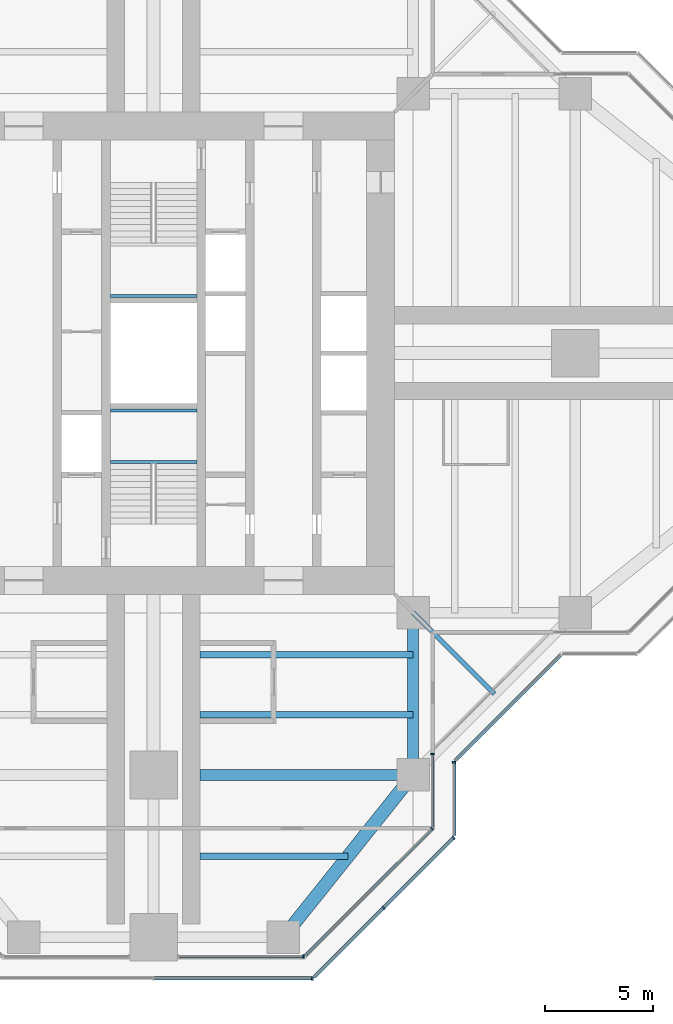
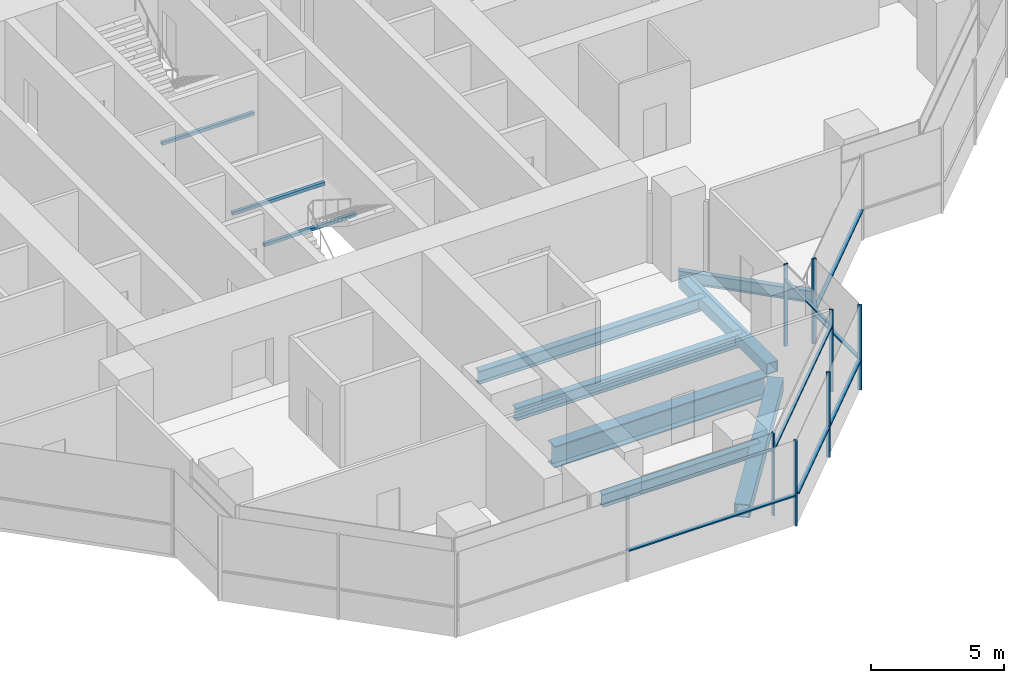
# One storey, part 4 of 17: 15 members, 10 beams, 7 elements without a shape of their own.
"""IFC4 building model written with IfcOpenShell, lengths in metres."""

from ifc_helpers import new_model, si_unit, direction, frame, origin, origin_2d, place, context, subcontext, project, spatial, rectangle, hollow_rectangle, i_section, extrude, material, material_profile, profile_set, type_object, element, aggregate, save


model = new_model("IFC4")

# Units and contexts
model_context = context("Model", 3, precision=1e-05, world=origin(), true_north=direction((0.0, 1.0)))
body_context = subcontext(model_context, "Body", "Model", "MODEL_VIEW")
ifc_project = project(units=[si_unit("LENGTHUNIT", "METRE"), si_unit("AREAUNIT", "SQUARE_METRE"), si_unit("VOLUMEUNIT", "CUBIC_METRE"), si_unit("PLANEANGLEUNIT", "RADIAN"), si_unit("MASSUNIT", "GRAM", prefix="KILO")], contexts=[model_context])

# Site, building, storey
site_placement = place(None, origin())
site = spatial("IfcSite", under=ifc_project, at=site_placement, CompositionType="ELEMENT")
building_placement = place(site_placement, origin())
building = spatial("IfcBuilding", under=site, at=building_placement, Name="Mizan Broadcast Tower", CompositionType="ELEMENT")
storey_placement = place(building_placement, frame((0.0, 0.0, 216.60009765625)))
storey = spatial("IfcBuildingStorey", under=building, at=storey_placement, Name="L50", CompositionType="ELEMENT", Elevation=216.60009765625)

# Beams
ifc_material_1 = material(Name="Steel S355", Category="steel")
ifc_material_profile_1 = material_profile(ifc_material_1, hollow_rectangle(XDim=0.5, YDim=0.5, WallThickness=0.030029296875, at=origin_2d()), Name="BOX 500x500x30")
ifc_profile_set_1 = profile_set([ifc_material_profile_1], Name="Steel S355")
beam_type_1 = type_object("IfcBeamType", Name="EDGE BEAM BOX 500x500x30", PredefinedType="SPANDREL", material=ifc_profile_set_1)
beam_1_placement = place(storey_placement, frame((12.0, -12.449951171875, -0.380126953125), z_axis=(0.0, -1.0, 0.0), x_axis=(1.0, 0.0, 0.0)))
element("IfcBeam", 1, at=beam_1_placement, inside=storey, type_object=beam_type_1, Name="Edge beam BOX 500x500x30 L50 south arm", PredefinedType="SPANDREL", context=body_context, shape_type="SweptSolid", body=[
    extrude(hollow_rectangle(XDim=0.5, YDim=0.5, WallThickness=0.030029296875, at=origin_2d()), origin(), (0.0, 0.0, 1.0), 6.60009765625),
])
ifc_material_2 = material(Name="Steel S355", Category="steel")
ifc_material_profile_2 = material_profile(ifc_material_2, hollow_rectangle(XDim=0.60009765625, YDim=0.60009765625, WallThickness=0.030029296875, at=origin_2d()), Name="BOX 600x600x30")
ifc_profile_set_2 = profile_set([ifc_material_profile_2], Name="Steel S355")
beam_type_2 = type_object("IfcBeamType", Name="EDGE BEAM BOX 600x600x30", PredefinedType="SPANDREL", material=ifc_profile_set_2)
beam_2_placement = place(storey_placement, frame((11.639892578125, -19.949951171875, -0.43017578125), z_axis=(-0.624673911726, -0.780885717636, 0.0), x_axis=(0.780885717636, -0.624673911726, 0.0)))
element("IfcBeam", 2, at=beam_2_placement, inside=storey, type_object=beam_type_2, Name="Edge beam BOX 600x600x30 L50 south arm", PredefinedType="SPANDREL", context=body_context, shape_type="SweptSolid", body=[
    extrude(hollow_rectangle(XDim=0.60009765625, YDim=0.60009765625, WallThickness=0.030029296875, at=origin_2d()), origin(), (0.0, 0.0, 1.0), 8.4521484375),
])
ifc_material_3 = material(Name="Steel S460", Category="steel")
ifc_material_profile_3 = material_profile(ifc_material_3, i_section(OverallWidth=0.5, OverallDepth=1.0, WebThickness=0.02490234375, FlangeThickness=0.050048828125, at=origin_2d()), Name="WPG 1000x500")
ifc_profile_set_3 = profile_set([ifc_material_profile_3], Name="Steel S460")
beam_type_3 = type_object("IfcBeamType", Name="GIRDER WPG 1000x500", PredefinedType="BEAM", material=ifc_profile_set_3)
beam_3_placement = place(storey_placement, frame((11.408935546875, -19.5, -0.630126953125), z_axis=(-1.0, 0.0, 0.0), x_axis=(0.0, -1.0, 0.0)))
element("IfcBeam", 3, at=beam_3_placement, inside=storey, type_object=beam_type_3, Name="Girder WPG 1000x500 L50 south arm", PredefinedType="BEAM", context=body_context, shape_type="SweptSolid", body=[
    extrude(i_section(OverallWidth=0.5, OverallDepth=1.0, WebThickness=0.02490234375, FlangeThickness=0.050048828125, at=origin_2d()), origin(), (0.0, 0.0, 1.0), 9.259033203125),
])

# Curtain wall, member
ifc_material_4 = material(Name="Aluminium framed glazing", Category="aluminium")
curtain_wall_type_1 = type_object("IfcCurtainWallType", Name="INNER SKIN HIGH ZONE", PredefinedType="USERDEFINED", material=ifc_material_4)
curtain_wall_1_placement = place(storey_placement, origin())
curtain_wall_1 = element("IfcCurtainWall", 4, at=curtain_wall_1_placement, inside=storey, type_object=curtain_wall_type_1, Name="Inner skin high zone L50 S end", ObjectType="INNER SKIN HIGH ZONE", PredefinedType="USERDEFINED")
ifc_material_5 = material(Name="Aluminium, pale anodised", Category="aluminium")
ifc_material_profile_4 = material_profile(ifc_material_5, rectangle(XDim=0.159912109375, YDim=0.06005859375, at=origin_2d()), Name="MULLION 160x60")
ifc_profile_set_4 = profile_set([ifc_material_profile_4], Name="Aluminium, pale anodised")
member_type_1 = type_object("IfcMemberType", Name="INNER SKIN MULLION 60x160", PredefinedType="MULLION", material=ifc_profile_set_4)
member_1_placement = place(storey_placement, frame((6.928466796875, -27.89990234375, 0.0), z_axis=(0.0, 0.0, 1.0), x_axis=(0.0, 1.0, 0.0)))
member_1 = element("IfcMember", 5, at=member_1_placement, type_object=member_type_1, Name="Inner skin high zone L50 S end mullion 2", PredefinedType="MULLION", context=body_context, shape_type="SweptSolid", body=[
    extrude(rectangle(XDim=0.159912109375, YDim=0.06005859375, at=origin_2d()), origin(), (0.0, 0.0, 1.0), 3.77001953125),
])

curtain_wall_2_placement = place(storey_placement, origin())
curtain_wall_2 = element("IfcCurtainWall", 6, at=curtain_wall_2_placement, inside=storey, type_object=curtain_wall_type_1, Name="Inner skin high zone L50 S chamfer", ObjectType="INNER SKIN HIGH ZONE", PredefinedType="USERDEFINED")
member_2_placement = place(storey_placement, frame((12.87890625, -21.979736328125, 0.0), z_axis=(0.0, 0.0, 1.0), x_axis=(-0.707106781187, 0.707106781187, 0.0)))
member_2 = element("IfcMember", 7, at=member_2_placement, type_object=member_type_1, Name="Inner skin high zone L50 S chamfer mullion 2", PredefinedType="MULLION", context=body_context, shape_type="SweptSolid", body=[
    extrude(rectangle(XDim=0.159912109375, YDim=0.06005859375, at=origin_2d()), origin(), (0.0, 0.0, 1.0), 3.77001953125),
])

curtain_wall_3_placement = place(storey_placement, origin())
curtain_wall_3 = element("IfcCurtainWall", 8, at=curtain_wall_3_placement, inside=storey, type_object=curtain_wall_type_1, Name="Inner skin high zone L50 S side", ObjectType="INNER SKIN HIGH ZONE", PredefinedType="USERDEFINED")
member_3_placement = place(storey_placement, frame((12.89990234375, -18.530029296875, 0.0), z_axis=(0.0, 0.0, 1.0), x_axis=(-1.0, 0.0, 0.0)))
member_3 = element("IfcMember", 9, at=member_3_placement, type_object=member_type_1, Name="Inner skin high zone L50 S side mullion 2", PredefinedType="MULLION", context=body_context, shape_type="SweptSolid", body=[
    extrude(rectangle(XDim=0.159912109375, YDim=0.06005859375, at=origin_2d()), origin(), (0.0, 0.0, 1.0), 3.77001953125),
])

# Member
ifc_material_6 = material(Name="Aluminium, pale anodised", Category="aluminium")
ifc_material_profile_5 = material_profile(ifc_material_6, rectangle(XDim=0.1201171875, YDim=0.06005859375, at=origin_2d()), Name="TRANSOM 120x60")
ifc_profile_set_5 = profile_set([ifc_material_profile_5], Name="Aluminium, pale anodised")
member_type_2 = type_object("IfcMemberType", Name="INNER SKIN TRANSOM 60x120", PredefinedType="USERDEFINED", material=ifc_profile_set_5)
member_4_placement = place(storey_placement, frame((1.159912109375, -27.89990234375, 3.02978515625), z_axis=(1.0, 0.0, 0.0), x_axis=(0.0, 1.0, 0.0)))
member_4 = element("IfcMember", 10, at=member_4_placement, type_object=member_type_2, Name="Inner skin high zone L50 S end transom 1.1", ObjectType="TRANSOM", PredefinedType="USERDEFINED", context=body_context, shape_type="SweptSolid", body=[
    extrude(rectangle(XDim=0.1201171875, YDim=0.06005859375, at=origin_2d()), origin(), (0.0, 0.0, 1.0), 5.73876953125),
])

aggregate(curtain_wall_1, [member_1, member_4])

member_5_placement = place(storey_placement, frame((7.0009765625, -27.857666015625, 3.02978515625), z_axis=(0.707106781187, 0.707106781187, 0.0), x_axis=(-0.707106781187, 0.707106781187, 0.0)))
member_5 = element("IfcMember", 11, at=member_5_placement, type_object=member_type_2, Name="Inner skin high zone L50 S chamfer transom 1.1", ObjectType="TRANSOM", PredefinedType="USERDEFINED", context=body_context, shape_type="SweptSolid", body=[
    extrude(rectangle(XDim=0.1201171875, YDim=0.06005859375, at=origin_2d()), origin(), (0.0, 0.0, 1.0), 8.28271484375),
])

aggregate(curtain_wall_2, [member_2, member_5])

member_6_placement = place(storey_placement, frame((12.89990234375, -21.898681640625, 3.02978515625), z_axis=(0.0, 1.0, 0.0), x_axis=(-1.0, 0.0, 0.0)))
member_6 = element("IfcMember", 12, at=member_6_placement, type_object=member_type_2, Name="Inner skin high zone L50 S side transom 1.1", ObjectType="TRANSOM", PredefinedType="USERDEFINED", context=body_context, shape_type="SweptSolid", body=[
    extrude(rectangle(XDim=0.1201171875, YDim=0.06005859375, at=origin_2d()), origin(), (0.0, 0.0, 1.0), 3.338623046875),
])

aggregate(curtain_wall_3, [member_3, member_6])

# Beams
ifc_material_7 = material(Name="Steel S355", Category="steel")
ifc_material_profile_6 = material_profile(ifc_material_7, hollow_rectangle(XDim=0.14990234375, YDim=0.14990234375, WallThickness=0.008056640625, InnerFilletRadius=0.008056640625, OuterFilletRadius=0.011962890625, at=origin_2d()), Name="SHS 150x150x8")
ifc_profile_set_6 = profile_set([ifc_material_profile_6], Name="Steel S355")
beam_type_4 = type_object("IfcBeamType", Name="LANDING TRIMMER SHS 150x150x8", PredefinedType="BEAM", material=ifc_profile_set_6)
for number, where, z_axis, x_axis, name in (
    (13, (-2.0, -5.02490234375, 1.6748046875), (1.0, 0.0, 0.0), (0.0, 1.0, 0.0), "Stair A landing trimmer L50"),
    (14, (-2.0, -2.64990234375, 1.6748046875), (1.0, 0.0, 0.0), (0.0, 1.0, 0.0), "Stair A landing trimmer L50"),
    (15, (2.0, 2.64990234375, 1.6748046875), (-1.0, 0.0, 0.0), (0.0, -1.0, 0.0), "Stair B landing trimmer L50"),
):
    element("IfcBeam", number, at=place(storey_placement, frame(where, z_axis=z_axis, x_axis=x_axis)), inside=storey, type_object=beam_type_4, Name=name, PredefinedType="BEAM", context=body_context, shape_type="SweptSolid", body=[
        extrude(hollow_rectangle(XDim=0.14990234375, YDim=0.14990234375, WallThickness=0.008056640625, InnerFilletRadius=0.008056640625, OuterFilletRadius=0.011962890625, at=origin_2d()), origin(), (0.0, 0.0, 1.0), 4.0),
    ])

# Curtain wall, member
ifc_material_8 = material(Name="Aluminium framed glazing", Category="aluminium")
curtain_wall_type_2 = type_object("IfcCurtainWallType", Name="OUTER SKIN", PredefinedType="USERDEFINED", material=ifc_material_8)
curtain_wall_4_placement = place(storey_placement, origin())
curtain_wall_4 = element("IfcCurtainWall", 16, at=curtain_wall_4_placement, inside=storey, type_object=curtain_wall_type_2, Name="Outer skin L50 S end", ObjectType="OUTER SKIN", PredefinedType="USERDEFINED")
ifc_material_9 = material(Name="Aluminium, pale anodised", Category="aluminium")
ifc_material_profile_7 = material_profile(ifc_material_9, rectangle(XDim=0.159912109375, YDim=0.080078125, at=origin_2d()), Name="MULLION 160x80")
ifc_profile_set_7 = profile_set([ifc_material_profile_7], Name="Aluminium, pale anodised")
member_type_3 = type_object("IfcMemberType", Name="OUTER SKIN MULLION 80x160", PredefinedType="MULLION", material=ifc_profile_set_7)
member_7_placement = place(storey_placement, frame((7.332763671875, -28.89990234375, 0.0), z_axis=(0.0, 0.0, 1.0), x_axis=(0.0, 1.0, 0.0)))
member_7 = element("IfcMember", 17, at=member_7_placement, type_object=member_type_3, Name="Outer skin L50 S end mullion 3", PredefinedType="MULLION", context=body_context, shape_type="SweptSolid", body=[
    extrude(rectangle(XDim=0.159912109375, YDim=0.080078125, at=origin_2d()), origin(), (0.0, 0.0, 1.0), 3.89990234375),
])

# Curtain wall, members
curtain_wall_5_placement = place(storey_placement, origin())
curtain_wall_5 = element("IfcCurtainWall", 18, at=curtain_wall_5_placement, inside=storey, type_object=curtain_wall_type_2, Name="Outer skin L50 S chamfer", ObjectType="OUTER SKIN", PredefinedType="USERDEFINED")
member_8_placement = place(storey_placement, frame((10.636474609375, -25.636474609375, 0.0), z_axis=(0.0, 0.0, 1.0), x_axis=(-0.707106781187, 0.707106781187, 0.0)))
member_8 = element("IfcMember", 19, at=member_8_placement, type_object=member_type_3, Name="Outer skin L50 S chamfer mullion 2", PredefinedType="MULLION", context=body_context, shape_type="SweptSolid", body=[
    extrude(rectangle(XDim=0.159912109375, YDim=0.080078125, at=origin_2d()), origin(), (0.0, 0.0, 1.0), 3.89990234375),
])
member_9_placement = place(storey_placement, frame((13.871826171875, -22.401123046875, 0.0), z_axis=(0.0, 0.0, 1.0), x_axis=(-0.707106781187, 0.707106781187, 0.0)))
member_9 = element("IfcMember", 20, at=member_9_placement, type_object=member_type_3, Name="Outer skin L50 S chamfer mullion 3", PredefinedType="MULLION", context=body_context, shape_type="SweptSolid", body=[
    extrude(rectangle(XDim=0.159912109375, YDim=0.080078125, at=origin_2d()), origin(), (0.0, 0.0, 1.0), 3.89990234375),
])

# Curtain wall, member
curtain_wall_6_placement = place(storey_placement, origin())
curtain_wall_6 = element("IfcCurtainWall", 21, at=curtain_wall_6_placement, inside=storey, type_object=curtain_wall_type_2, Name="Outer skin L50 S side", ObjectType="OUTER SKIN", PredefinedType="USERDEFINED")
member_10_placement = place(storey_placement, frame((13.89990234375, -18.912841796875, 0.0), z_axis=(0.0, 0.0, 1.0), x_axis=(-1.0, 0.0, 0.0)))
member_10 = element("IfcMember", 22, at=member_10_placement, type_object=member_type_3, Name="Outer skin L50 S side mullion 2", PredefinedType="MULLION", context=body_context, shape_type="SweptSolid", body=[
    extrude(rectangle(XDim=0.159912109375, YDim=0.080078125, at=origin_2d()), origin(), (0.0, 0.0, 1.0), 3.89990234375),
])

# Member
ifc_material_10 = material(Name="Aluminium, pale anodised", Category="aluminium")
ifc_material_profile_8 = material_profile(ifc_material_10, rectangle(XDim=0.159912109375, YDim=0.06005859375, at=origin_2d()), Name="TRANSOM 160x60")
ifc_profile_set_8 = profile_set([ifc_material_profile_8], Name="Aluminium, pale anodised")
member_type_4 = type_object("IfcMemberType", Name="OUTER SKIN TRANSOM 60x160", PredefinedType="USERDEFINED", material=ifc_profile_set_8)
member_11_placement = place(storey_placement, frame((0.0400390625, -28.89990234375, 1.39990234375), z_axis=(1.0, 0.0, 0.0), x_axis=(0.0, 1.0, 0.0)))
member_11 = element("IfcMember", 23, at=member_11_placement, type_object=member_type_4, Name="Outer skin L50 S end transom 2.1", ObjectType="TRANSOM", PredefinedType="USERDEFINED", context=body_context, shape_type="SweptSolid", body=[
    extrude(rectangle(XDim=0.159912109375, YDim=0.06005859375, at=origin_2d()), origin(), (0.0, 0.0, 1.0), 7.252685546875),
])

aggregate(curtain_wall_4, [member_7, member_11])

member_12_placement = place(storey_placement, frame((7.429443359375, -28.843505859375, 1.39990234375), z_axis=(0.707106781187, 0.707106781187, 0.0), x_axis=(-0.707106781187, 0.707106781187, 0.0)))
member_12 = element("IfcMember", 24, at=member_12_placement, type_object=member_type_4, Name="Outer skin L50 S chamfer transom 1.1", ObjectType="TRANSOM", PredefinedType="USERDEFINED", context=body_context, shape_type="SweptSolid", body=[
    extrude(rectangle(XDim=0.159912109375, YDim=0.06005859375, at=origin_2d()), origin(), (0.0, 0.0, 1.0), 4.495361328125),
])

member_13_placement = place(storey_placement, frame((10.664794921875, -25.608154296875, 1.39990234375), z_axis=(0.707106781187, 0.707106781187, 0.0), x_axis=(-0.707106781187, 0.707106781187, 0.0)))
member_13 = element("IfcMember", 25, at=member_13_placement, type_object=member_type_4, Name="Outer skin L50 S chamfer transom 2.1", ObjectType="TRANSOM", PredefinedType="USERDEFINED", context=body_context, shape_type="SweptSolid", body=[
    extrude(rectangle(XDim=0.159912109375, YDim=0.06005859375, at=origin_2d()), origin(), (0.0, 0.0, 1.0), 4.495361328125),
])

aggregate(curtain_wall_5, [member_8, member_9, member_12, member_13])

member_14_placement = place(storey_placement, frame((13.89990234375, -22.292724609375, 1.39990234375), z_axis=(0.0, 1.0, 0.0), x_axis=(-1.0, 0.0, 0.0)))
member_14 = element("IfcMember", 26, at=member_14_placement, type_object=member_type_4, Name="Outer skin L50 S side transom 1.1", ObjectType="TRANSOM", PredefinedType="USERDEFINED", context=body_context, shape_type="SweptSolid", body=[
    extrude(rectangle(XDim=0.159912109375, YDim=0.06005859375, at=origin_2d()), origin(), (0.0, 0.0, 1.0), 3.33984375),
])

aggregate(curtain_wall_6, [member_10, member_14])

# Curtain wall, member
curtain_wall_7_placement = place(storey_placement, origin())
curtain_wall_7 = element("IfcCurtainWall", 27, at=curtain_wall_7_placement, inside=storey, type_object=curtain_wall_type_2, Name="Outer skin L50 E chamfer", ObjectType="OUTER SKIN", PredefinedType="USERDEFINED")
member_15_placement = place(storey_placement, frame((13.95654296875, -18.816162109375, 1.39990234375), z_axis=(0.707106781187, 0.707106781187, 0.0), x_axis=(-0.707106781187, 0.707106781187, 0.0)))
member_15 = element("IfcMember", 28, at=member_15_placement, type_object=member_type_4, Name="Outer skin L50 E chamfer transom 1.1", ObjectType="TRANSOM", PredefinedType="USERDEFINED", context=body_context, shape_type="SweptSolid", body=[
    extrude(rectangle(XDim=0.159912109375, YDim=0.06005859375, at=origin_2d()), origin(), (0.0, 0.0, 1.0), 6.87255859375),
])
aggregate(curtain_wall_7, [member_15])

# Beams
ifc_material_11 = material(Name="Steel S355", Category="steel")
ifc_material_profile_9 = material_profile(ifc_material_11, i_section(OverallWidth=0.300048828125, OverallDepth=0.590087890625, WebThickness=0.012939453125, FlangeThickness=0.02490234375, FilletRadius=0.027099609375, at=origin_2d()), Name="HEA 600")
ifc_profile_set_9 = profile_set([ifc_material_profile_9], Name="Steel S355")
beam_type_5 = type_object("IfcBeamType", Name="SECONDARY BEAM HEA 600", PredefinedType="JOIST", material=ifc_profile_set_9)
for number, where, z_axis, x_axis, name in (
    (29, (12.0, -13.933349609375, -0.425048828125), (-1.0, 0.0, 0.0), (0.0, -1.0, 0.0), "Secondary beam HEA 600 L50 south arm"),
    (30, (12.0, -16.716552734375, -0.425048828125), (-1.0, 0.0, 0.0), (0.0, -1.0, 0.0), "Secondary beam HEA 600 L50 south arm"),
):
    element("IfcBeam", number, at=place(storey_placement, frame(where, z_axis=z_axis, x_axis=x_axis)), inside=storey, type_object=beam_type_5, Name=name, PredefinedType="JOIST", context=body_context, shape_type="SweptSolid", body=[
        extrude(i_section(OverallWidth=0.300048828125, OverallDepth=0.590087890625, WebThickness=0.012939453125, FlangeThickness=0.02490234375, FilletRadius=0.027099609375, at=origin_2d()), origin(), (0.0, 0.0, 1.0), 9.85009765625),
    ])
beam_4_placement = place(storey_placement, frame((9.0, -23.25, -0.425048828125), z_axis=(-1.0, 0.0, 0.0), x_axis=(0.0, -1.0, 0.0)))
element("IfcBeam", 31, at=beam_4_placement, inside=storey, type_object=beam_type_5, Name="Secondary beam HEA 600 L50 south arm", PredefinedType="JOIST", context=body_context, shape_type="SweptSolid", body=[
    extrude(i_section(OverallWidth=0.300048828125, OverallDepth=0.590087890625, WebThickness=0.012939453125, FlangeThickness=0.02490234375, FilletRadius=0.027099609375, at=origin_2d()), origin(), (0.0, 0.0, 1.0), 6.85009765625),
])
ifc_material_12 = material(Name="Steel S355", Category="steel")
ifc_material_profile_10 = material_profile(ifc_material_12, i_section(OverallWidth=0.2099609375, OverallDepth=0.550048828125, WebThickness=0.010986328125, FlangeThickness=0.01708984375, FilletRadius=0.02392578125, at=origin_2d()), Name="IPE 550")
ifc_profile_set_10 = profile_set([ifc_material_profile_10], Name="Steel S355")
beam_type_6 = type_object("IfcBeamType", Name="SECONDARY BEAM IPE 550", PredefinedType="JOIST", material=ifc_profile_set_10)
beam_5_placement = place(storey_placement, frame((12.0, -12.0, -0.405029296875), z_axis=(0.707106781187, -0.707106781187, 0.0), x_axis=(0.707106781187, 0.707106781187, 0.0)))
element("IfcBeam", 32, at=beam_5_placement, inside=storey, type_object=beam_type_6, Name="Winter garden beam L50 S", PredefinedType="JOIST", context=body_context, shape_type="SweptSolid", body=[
    extrude(i_section(OverallWidth=0.2099609375, OverallDepth=0.550048828125, WebThickness=0.010986328125, FlangeThickness=0.01708984375, FilletRadius=0.02392578125, at=origin_2d()), origin(), (0.0, 0.0, 1.0), 5.30322265625),
])

save(model, "model.ifc")
